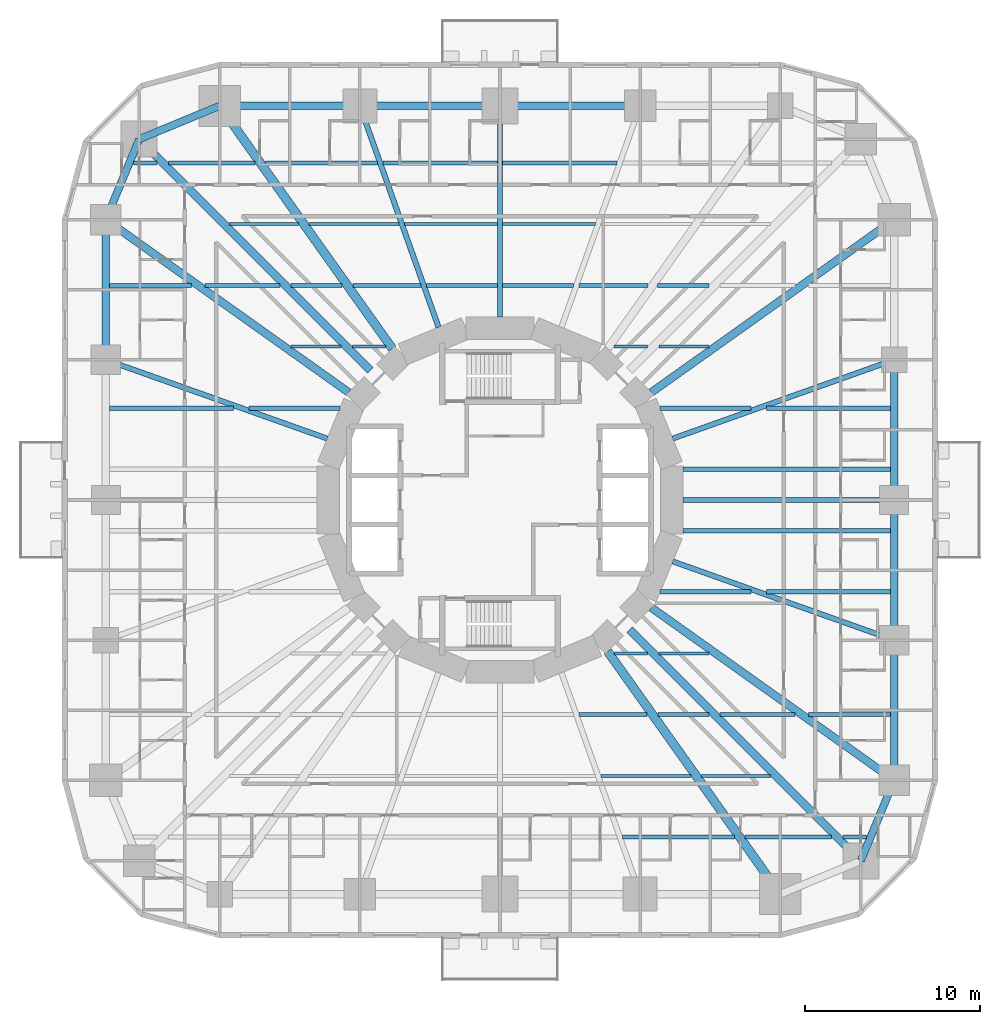
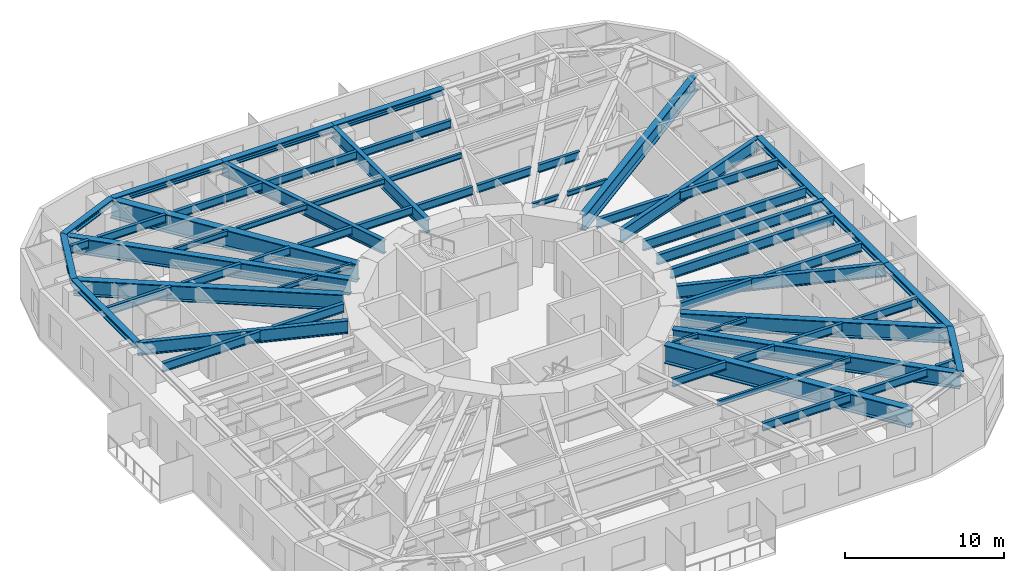
# One storey, part 2 of 14: 53 beams, 10 members.
"""IFC4 building model written with IfcOpenShell, lengths in metres."""

from ifc_helpers import new_model, si_unit, direction, frame, origin, origin_2d, place, context, subcontext, project, spatial, i_section, extrude, material, material_profile, profile_set, type_object, element, save


model = new_model("IFC4")

# Units and contexts
model_context = context("Model", 3, precision=1e-05, world=origin(), true_north=direction((0.0, 1.0)))
body_context = subcontext(model_context, "Body", "Model", "MODEL_VIEW")
ifc_project = project(units=[si_unit("LENGTHUNIT", "METRE"), si_unit("AREAUNIT", "SQUARE_METRE"), si_unit("VOLUMEUNIT", "CUBIC_METRE"), si_unit("PLANEANGLEUNIT", "RADIAN"), si_unit("MASSUNIT", "GRAM", prefix="KILO")], contexts=[model_context])

# Site, building, storey
site_placement = place(None, origin())
site = spatial("IfcSite", under=ifc_project, at=site_placement, CompositionType="ELEMENT")
building_placement = place(site_placement, origin())
building = spatial("IfcBuilding", under=site, at=building_placement, Name="Nakasero Lantern House", CompositionType="ELEMENT")
storey_placement = place(building_placement, frame((0.0, 0.0, 50.64990234375)))
storey = spatial("IfcBuildingStorey", under=building, at=storey_placement, Name="L12", CompositionType="ELEMENT", Elevation=50.64990234375)

# Members
ifc_material_1 = material(Name="Steel S355", Category="steel")
ifc_material_profile_1 = material_profile(ifc_material_1, i_section(OverallWidth=0.424072265625, OverallDepth=0.474609375, WebThickness=0.047607421875, FlangeThickness=0.076904296875, FilletRadius=0.01513671875, at=origin_2d()), Name="UC 356x406x634")
ifc_profile_set_1 = profile_set([ifc_material_profile_1], Name="Steel S355")
member_type = type_object("IfcMemberType", Name="Belt truss chord UC 356x406x634", PredefinedType="CHORD", material=ifc_profile_set_1)
for number, where, z_axis, x_axis, name in (
    (1, (22.5, -16.0, 3.412841796875), (0.0, 1.0, 0.0), (-1.0, 0.0, 0.0), "Belt truss bottom chord T1 B1-C01"),
    (2, (22.5, -8.0, 3.412841796875), (0.0, 1.0, 0.0), (-1.0, 0.0, 0.0), "Belt truss bottom chord T1 B1-C02"),
    (3, (22.5, 0.0, 3.412841796875), (0.0, 1.0, 0.0), (-1.0, 0.0, 0.0), "Belt truss bottom chord T1 B1-C03"),
    (4, (8.0, 22.5, 3.412841796875), (-1.0, 0.0, 0.0), (0.0, -1.0, 0.0), "Belt truss bottom chord T1 B1-C08"),
    (5, (0.0, 22.5, 3.412841796875), (-1.0, 0.0, 0.0), (0.0, -1.0, 0.0), "Belt truss bottom chord T1 B1-C09"),
    (6, (-8.0, 22.5, 3.412841796875), (-1.0, 0.0, 0.0), (0.0, -1.0, 0.0), "Belt truss bottom chord T1 B1-C10"),
):
    element("IfcMember", number, at=place(storey_placement, frame(where, z_axis=z_axis, x_axis=x_axis)), inside=storey, type_object=member_type, Name=name, PredefinedType="CHORD", context=body_context, shape_type="SweptSolid", body=[
        extrude(i_section(OverallWidth=0.424072265625, OverallDepth=0.474609375, WebThickness=0.047607421875, FlangeThickness=0.076904296875, FilletRadius=0.01513671875, at=origin_2d()), origin(), (0.0, 0.0, 1.0), 8.0),
    ])
for number, where, z_axis, x_axis, name in (
    (7, (-16.0, 22.5, 3.412841796875), (-0.923879264016, -0.382684080569, 0.0), (0.382684080569, -0.923879264016, 0.0), "Belt truss bottom chord T1 B1-C11"),
    (8, (-20.59619140625, 20.59619140625, 3.412841796875), (-0.382684080569, -0.923879264016, 0.0), (0.923879264016, -0.382684080569, 0.0), "Belt truss bottom chord T1 B1-C12"),
):
    element("IfcMember", number, at=place(storey_placement, frame(where, z_axis=z_axis, x_axis=x_axis)), inside=storey, type_object=member_type, Name=name, PredefinedType="CHORD", context=body_context, shape_type="SweptSolid", body=[
        extrude(i_section(OverallWidth=0.424072265625, OverallDepth=0.474609375, WebThickness=0.047607421875, FlangeThickness=0.076904296875, FilletRadius=0.01513671875, at=origin_2d()), origin(), (0.0, 0.0, 1.0), 4.974853515625),
    ])
member_1_placement = place(storey_placement, frame((-22.5, 16.0, 3.412841796875), z_axis=(0.0, -1.0, 0.0), x_axis=(1.0, 0.0, 0.0)))
element("IfcMember", 9, at=member_1_placement, inside=storey, type_object=member_type, Name="Belt truss bottom chord T1 B1-C13", PredefinedType="CHORD", context=body_context, shape_type="SweptSolid", body=[
    extrude(i_section(OverallWidth=0.424072265625, OverallDepth=0.474609375, WebThickness=0.047607421875, FlangeThickness=0.076904296875, FilletRadius=0.01513671875, at=origin_2d()), origin(), (0.0, 0.0, 1.0), 8.0),
])
member_2_placement = place(storey_placement, frame((20.59619140625, -20.59619140625, 3.412841796875), z_axis=(0.382684080569, 0.923879264016, 0.0), x_axis=(-0.923879264016, 0.382684080569, 0.0)))
element("IfcMember", 10, at=member_2_placement, inside=storey, type_object=member_type, Name="Belt truss bottom chord T1 B1-C24", PredefinedType="CHORD", context=body_context, shape_type="SweptSolid", body=[
    extrude(i_section(OverallWidth=0.424072265625, OverallDepth=0.474609375, WebThickness=0.047607421875, FlangeThickness=0.076904296875, FilletRadius=0.01513671875, at=origin_2d()), origin(), (0.0, 0.0, 1.0), 4.974853515625),
])

# Beams
ifc_material_2 = material(Name="Steel S355", Category="steel")
ifc_material_profile_2 = material_profile(ifc_material_2, i_section(OverallWidth=0.17138671875, OverallDepth=0.35498046875, WebThickness=0.00732421875, FlangeThickness=0.011474609375, FilletRadius=0.01025390625, at=origin_2d()), Name="UB 356x171x51")
ifc_profile_set_2 = profile_set([ifc_material_profile_2], Name="Steel S355")
beam_type_1 = type_object("IfcBeamType", Name="Infill beam UB 356x171x51", PredefinedType="JOIST", material=ifc_profile_set_2)
beam_1_placement = place(storey_placement, frame((6.529052734375, -8.75, 3.47265625), z_axis=(1.0, 0.0, 0.0), x_axis=(0.0, 1.0, 0.0)))
element("IfcBeam", 11, at=beam_1_placement, inside=storey, type_object=beam_type_1, Name="Infill beam L13 05.3", PredefinedType="JOIST", context=body_context, shape_type="SweptSolid", body=[
    extrude(i_section(OverallWidth=0.17138671875, OverallDepth=0.35498046875, WebThickness=0.00732421875, FlangeThickness=0.011474609375, FilletRadius=0.01025390625, at=origin_2d()), origin(), (0.0, 0.0, 1.0), 1.90283203125),
])
for number, where, z_axis, x_axis, name in (
    (12, (9.068115234375, -8.75, 3.47265625), (1.0, 0.0, 0.0), (0.0, 1.0, 0.0), "Infill beam L13 05.4"),
    (13, (-11.91650390625, 8.75, 3.47265625), (1.0, 0.0, 0.0), (0.0, 1.0, 0.0), "Infill beam L13 10.1"),
):
    element("IfcBeam", number, at=place(storey_placement, frame(where, z_axis=z_axis, x_axis=x_axis)), inside=storey, type_object=beam_type_1, Name=name, PredefinedType="JOIST", context=body_context, shape_type="SweptSolid", body=[
        extrude(i_section(OverallWidth=0.17138671875, OverallDepth=0.35498046875, WebThickness=0.00732421875, FlangeThickness=0.011474609375, FilletRadius=0.01025390625, at=origin_2d()), origin(), (0.0, 0.0, 1.0), 2.848388671875),
    ])
beam_2_placement = place(storey_placement, frame((-8.431884765625, 8.75, 3.47265625), z_axis=(1.0, 0.0, 0.0), x_axis=(0.0, 1.0, 0.0)))
element("IfcBeam", 14, at=beam_2_placement, inside=storey, type_object=beam_type_1, Name="Infill beam L13 10.2", PredefinedType="JOIST", context=body_context, shape_type="SweptSolid", body=[
    extrude(i_section(OverallWidth=0.17138671875, OverallDepth=0.35498046875, WebThickness=0.00732421875, FlangeThickness=0.011474609375, FilletRadius=0.01025390625, at=origin_2d()), origin(), (0.0, 0.0, 1.0), 1.90283203125),
])
beam_3_placement = place(storey_placement, frame((6.498291015625, 8.75, 3.47265625), z_axis=(1.0, 0.0, 0.0), x_axis=(0.0, 1.0, 0.0)))
element("IfcBeam", 15, at=beam_3_placement, inside=storey, type_object=beam_type_1, Name="Infill beam L13 10.3", PredefinedType="JOIST", context=body_context, shape_type="SweptSolid", body=[
    extrude(i_section(OverallWidth=0.17138671875, OverallDepth=0.35498046875, WebThickness=0.00732421875, FlangeThickness=0.011474609375, FilletRadius=0.01025390625, at=origin_2d()), origin(), (0.0, 0.0, 1.0), 1.93359375),
])
beam_4_placement = place(storey_placement, frame((9.068115234375, 8.75, 3.47265625), z_axis=(1.0, 0.0, 0.0), x_axis=(0.0, 1.0, 0.0)))
element("IfcBeam", 16, at=beam_4_placement, inside=storey, type_object=beam_type_1, Name="Infill beam L13 10.4", PredefinedType="JOIST", context=body_context, shape_type="SweptSolid", body=[
    extrude(i_section(OverallWidth=0.17138671875, OverallDepth=0.35498046875, WebThickness=0.00732421875, FlangeThickness=0.011474609375, FilletRadius=0.01025390625, at=origin_2d()), origin(), (0.0, 0.0, 1.0), 2.848388671875),
])
ifc_material_3 = material(Name="Steel S355", Category="steel")
ifc_material_profile_3 = material_profile(ifc_material_3, i_section(OverallWidth=0.177978515625, OverallDepth=0.406494140625, WebThickness=0.0078125, FlangeThickness=0.0126953125, FilletRadius=0.01025390625, at=origin_2d()), Name="UB 406x178x60")
ifc_profile_set_3 = profile_set([ifc_material_profile_3], Name="Steel S355")
beam_type_2 = type_object("IfcBeamType", Name="Infill beam UB 406x178x60", PredefinedType="JOIST", material=ifc_profile_set_3)
beam_5_placement = place(storey_placement, frame((5.761962890625, -15.75, 3.44677734375), z_axis=(1.0, 0.0, 0.0), x_axis=(0.0, 1.0, 0.0)))
element("IfcBeam", 17, at=beam_5_placement, inside=storey, type_object=beam_type_2, Name="Infill beam L13 03.5", PredefinedType="JOIST", context=body_context, shape_type="SweptSolid", body=[
    extrude(i_section(OverallWidth=0.177978515625, OverallDepth=0.406494140625, WebThickness=0.0078125, FlangeThickness=0.0126953125, FilletRadius=0.01025390625, at=origin_2d()), origin(), (0.0, 0.0, 1.0), 5.13134765625),
])
for number, where, z_axis, x_axis, name in (
    (18, (11.5068359375, -15.75, 3.44677734375), (1.0, 0.0, 0.0), (0.0, 1.0, 0.0), "Infill beam L13 03.6"),
    (19, (-15.431884765625, 15.75, 3.44677734375), (1.0, 0.0, 0.0), (0.0, 1.0, 0.0), "Infill beam L13 12.1"),
):
    element("IfcBeam", number, at=place(storey_placement, frame(where, z_axis=z_axis, x_axis=x_axis)), inside=storey, type_object=beam_type_2, Name=name, PredefinedType="JOIST", context=body_context, shape_type="SweptSolid", body=[
        extrude(i_section(OverallWidth=0.177978515625, OverallDepth=0.406494140625, WebThickness=0.0078125, FlangeThickness=0.0126953125, FilletRadius=0.01025390625, at=origin_2d()), origin(), (0.0, 0.0, 1.0), 3.925048828125),
    ])
beam_6_placement = place(storey_placement, frame((-10.893310546875, 15.75, 3.44677734375), z_axis=(1.0, 0.0, 0.0), x_axis=(0.0, 1.0, 0.0)))
element("IfcBeam", 20, at=beam_6_placement, inside=storey, type_object=beam_type_2, Name="Infill beam L13 12.2", PredefinedType="JOIST", context=body_context, shape_type="SweptSolid", body=[
    extrude(i_section(OverallWidth=0.177978515625, OverallDepth=0.406494140625, WebThickness=0.0078125, FlangeThickness=0.0126953125, FilletRadius=0.01025390625, at=origin_2d()), origin(), (0.0, 0.0, 1.0), 5.13134765625),
])
for number, where, z_axis, x_axis, name in (
    (21, (-5.43798828125, 15.75, 3.44677734375), (1.0, 0.0, 0.0), (0.0, 1.0, 0.0), "Infill beam L13 12.3"),
    (22, (0.152587890625, 15.75, 3.44677734375), (1.0, 0.0, 0.0), (0.0, 1.0, 0.0), "Infill beam L13 12.4"),
):
    element("IfcBeam", number, at=place(storey_placement, frame(where, z_axis=z_axis, x_axis=x_axis)), inside=storey, type_object=beam_type_2, Name=name, PredefinedType="JOIST", context=body_context, shape_type="SweptSolid", body=[
        extrude(i_section(OverallWidth=0.177978515625, OverallDepth=0.406494140625, WebThickness=0.0078125, FlangeThickness=0.0126953125, FilletRadius=0.01025390625, at=origin_2d()), origin(), (0.0, 0.0, 1.0), 5.285400390625),
    ])
ifc_material_4 = material(Name="Steel S355", Category="steel")
ifc_material_profile_4 = material_profile(ifc_material_4, i_section(OverallWidth=0.22900390625, OverallDepth=0.6123046875, WebThickness=0.011962890625, FlangeThickness=0.01953125, FilletRadius=0.0126953125, at=origin_2d()), Name="UB 610x229x125")
ifc_profile_set_4 = profile_set([ifc_material_profile_4], Name="Steel S355")
beam_type_3 = type_object("IfcBeamType", Name="Infill beam UB 610x229x125", PredefinedType="JOIST", material=ifc_profile_set_4)
beam_7_placement = place(storey_placement, frame((7.006591796875, -19.25, 3.343994140625), z_axis=(1.0, 0.0, 0.0), x_axis=(0.0, 1.0, 0.0)))
element("IfcBeam", 23, at=beam_7_placement, inside=storey, type_object=beam_type_3, Name="Infill beam L13 02.6", PredefinedType="JOIST", context=body_context, shape_type="SweptSolid", body=[
    extrude(i_section(OverallWidth=0.22900390625, OverallDepth=0.6123046875, WebThickness=0.011962890625, FlangeThickness=0.01953125, FilletRadius=0.0126953125, at=origin_2d()), origin(), (0.0, 0.0, 1.0), 6.37548828125),
])
beam_8_placement = place(storey_placement, frame((13.99560546875, -19.25, 3.343994140625), z_axis=(1.0, 0.0, 0.0), x_axis=(0.0, 1.0, 0.0)))
element("IfcBeam", 24, at=beam_8_placement, inside=storey, type_object=beam_type_3, Name="Infill beam L13 02.7", PredefinedType="JOIST", context=body_context, shape_type="SweptSolid", body=[
    extrude(i_section(OverallWidth=0.22900390625, OverallDepth=0.6123046875, WebThickness=0.011962890625, FlangeThickness=0.01953125, FilletRadius=0.0126953125, at=origin_2d()), origin(), (0.0, 0.0, 1.0), 4.936279296875),
])
beam_9_placement = place(storey_placement, frame((19.568115234375, -19.25, 3.343994140625), z_axis=(1.0, 0.0, 0.0), x_axis=(0.0, 1.0, 0.0)))
element("IfcBeam", 25, at=beam_9_placement, inside=storey, type_object=beam_type_3, Name="Infill beam L13 02.8", PredefinedType="JOIST", context=body_context, shape_type="SweptSolid", body=[
    extrude(i_section(OverallWidth=0.22900390625, OverallDepth=0.6123046875, WebThickness=0.011962890625, FlangeThickness=0.01953125, FilletRadius=0.0126953125, at=origin_2d()), origin(), (0.0, 0.0, 1.0), 1.356201171875),
])
beam_10_placement = place(storey_placement, frame((4.517578125, -12.25, 3.343994140625), z_axis=(1.0, 0.0, 0.0), x_axis=(0.0, 1.0, 0.0)))
element("IfcBeam", 26, at=beam_10_placement, inside=storey, type_object=beam_type_3, Name="Infill beam L13 04.7", PredefinedType="JOIST", context=body_context, shape_type="SweptSolid", body=[
    extrude(i_section(OverallWidth=0.22900390625, OverallDepth=0.6123046875, WebThickness=0.011962890625, FlangeThickness=0.01953125, FilletRadius=0.0126953125, at=origin_2d()), origin(), (0.0, 0.0, 1.0), 3.88671875),
])
beam_11_placement = place(storey_placement, frame((9.017822265625, -12.25, 3.343994140625), z_axis=(1.0, 0.0, 0.0), x_axis=(0.0, 1.0, 0.0)))
element("IfcBeam", 27, at=beam_11_placement, inside=storey, type_object=beam_type_3, Name="Infill beam L13 04.8", PredefinedType="JOIST", context=body_context, shape_type="SweptSolid", body=[
    extrude(i_section(OverallWidth=0.22900390625, OverallDepth=0.6123046875, WebThickness=0.011962890625, FlangeThickness=0.01953125, FilletRadius=0.0126953125, at=origin_2d()), origin(), (0.0, 0.0, 1.0), 2.9140625),
])
beam_12_placement = place(storey_placement, frame((12.568115234375, -12.25, 3.343994140625), z_axis=(1.0, 0.0, 0.0), x_axis=(0.0, 1.0, 0.0)))
element("IfcBeam", 28, at=beam_12_placement, inside=storey, type_object=beam_type_3, Name="Infill beam L13 04.9", PredefinedType="JOIST", context=body_context, shape_type="SweptSolid", body=[
    extrude(i_section(OverallWidth=0.22900390625, OverallDepth=0.6123046875, WebThickness=0.011962890625, FlangeThickness=0.01953125, FilletRadius=0.0126953125, at=origin_2d()), origin(), (0.0, 0.0, 1.0), 4.270263671875),
])
for number, where, z_axis, x_axis, name in (
    (29, (17.61474609375, -12.25, 3.343994140625), (1.0, 0.0, 0.0), (0.0, 1.0, 0.0), "Infill beam L13 04.10"),
    (30, (-22.2880859375, 12.25, 3.343994140625), (1.0, 0.0, 0.0), (0.0, 1.0, 0.0), "Infill beam L13 11.1"),
):
    element("IfcBeam", number, at=place(storey_placement, frame(where, z_axis=z_axis, x_axis=x_axis)), inside=storey, type_object=beam_type_3, Name=name, PredefinedType="JOIST", context=body_context, shape_type="SweptSolid", body=[
        extrude(i_section(OverallWidth=0.22900390625, OverallDepth=0.6123046875, WebThickness=0.011962890625, FlangeThickness=0.01953125, FilletRadius=0.0126953125, at=origin_2d()), origin(), (0.0, 0.0, 1.0), 4.67333984375),
    ])
beam_13_placement = place(storey_placement, frame((-16.83837890625, 12.25, 3.343994140625), z_axis=(1.0, 0.0, 0.0), x_axis=(0.0, 1.0, 0.0)))
element("IfcBeam", 31, at=beam_13_placement, inside=storey, type_object=beam_type_3, Name="Infill beam L13 11.2", PredefinedType="JOIST", context=body_context, shape_type="SweptSolid", body=[
    extrude(i_section(OverallWidth=0.22900390625, OverallDepth=0.6123046875, WebThickness=0.011962890625, FlangeThickness=0.01953125, FilletRadius=0.0126953125, at=origin_2d()), origin(), (0.0, 0.0, 1.0), 4.270263671875),
])
beam_14_placement = place(storey_placement, frame((-11.931884765625, 12.25, 3.343994140625), z_axis=(1.0, 0.0, 0.0), x_axis=(0.0, 1.0, 0.0)))
element("IfcBeam", 32, at=beam_14_placement, inside=storey, type_object=beam_type_3, Name="Infill beam L13 11.3", PredefinedType="JOIST", context=body_context, shape_type="SweptSolid", body=[
    extrude(i_section(OverallWidth=0.22900390625, OverallDepth=0.6123046875, WebThickness=0.011962890625, FlangeThickness=0.01953125, FilletRadius=0.0126953125, at=origin_2d()), origin(), (0.0, 0.0, 1.0), 2.9140625),
])
beam_15_placement = place(storey_placement, frame((-8.404296875, 12.25, 3.343994140625), z_axis=(1.0, 0.0, 0.0), x_axis=(0.0, 1.0, 0.0)))
element("IfcBeam", 33, at=beam_15_placement, inside=storey, type_object=beam_type_3, Name="Infill beam L13 11.4", PredefinedType="JOIST", context=body_context, shape_type="SweptSolid", body=[
    extrude(i_section(OverallWidth=0.22900390625, OverallDepth=0.6123046875, WebThickness=0.011962890625, FlangeThickness=0.01953125, FilletRadius=0.0126953125, at=origin_2d()), origin(), (0.0, 0.0, 1.0), 3.88671875),
])
for number, where, z_axis, x_axis, name in (
    (34, (-4.193603515625, 12.25, 3.343994140625), (1.0, 0.0, 0.0), (0.0, 1.0, 0.0), "Infill beam L13 11.5"),
    (35, (0.152587890625, 12.25, 3.343994140625), (1.0, 0.0, 0.0), (0.0, 1.0, 0.0), "Infill beam L13 11.6"),
):
    element("IfcBeam", number, at=place(storey_placement, frame(where, z_axis=z_axis, x_axis=x_axis)), inside=storey, type_object=beam_type_3, Name=name, PredefinedType="JOIST", context=body_context, shape_type="SweptSolid", body=[
        extrude(i_section(OverallWidth=0.22900390625, OverallDepth=0.6123046875, WebThickness=0.011962890625, FlangeThickness=0.01953125, FilletRadius=0.0126953125, at=origin_2d()), origin(), (0.0, 0.0, 1.0), 4.041015625),
    ])
beam_16_placement = place(storey_placement, frame((4.517578125, 12.25, 3.343994140625), z_axis=(1.0, 0.0, 0.0), x_axis=(0.0, 1.0, 0.0)))
element("IfcBeam", 36, at=beam_16_placement, inside=storey, type_object=beam_type_3, Name="Infill beam L13 11.7", PredefinedType="JOIST", context=body_context, shape_type="SweptSolid", body=[
    extrude(i_section(OverallWidth=0.22900390625, OverallDepth=0.6123046875, WebThickness=0.011962890625, FlangeThickness=0.01953125, FilletRadius=0.0126953125, at=origin_2d()), origin(), (0.0, 0.0, 1.0), 3.91748046875),
])
beam_17_placement = place(storey_placement, frame((8.9873046875, 12.25, 3.343994140625), z_axis=(1.0, 0.0, 0.0), x_axis=(0.0, 1.0, 0.0)))
element("IfcBeam", 37, at=beam_17_placement, inside=storey, type_object=beam_type_3, Name="Infill beam L13 11.8", PredefinedType="JOIST", context=body_context, shape_type="SweptSolid", body=[
    extrude(i_section(OverallWidth=0.22900390625, OverallDepth=0.6123046875, WebThickness=0.011962890625, FlangeThickness=0.01953125, FilletRadius=0.0126953125, at=origin_2d()), origin(), (0.0, 0.0, 1.0), 2.944580078125),
])
beam_18_placement = place(storey_placement, frame((-20.92431640625, 19.25, 3.343994140625), z_axis=(1.0, 0.0, 0.0), x_axis=(0.0, 1.0, 0.0)))
element("IfcBeam", 38, at=beam_18_placement, inside=storey, type_object=beam_type_3, Name="Infill beam L13 13.1", PredefinedType="JOIST", context=body_context, shape_type="SweptSolid", body=[
    extrude(i_section(OverallWidth=0.22900390625, OverallDepth=0.6123046875, WebThickness=0.011962890625, FlangeThickness=0.01953125, FilletRadius=0.0126953125, at=origin_2d()), origin(), (0.0, 0.0, 1.0), 1.356201171875),
])
beam_19_placement = place(storey_placement, frame((-18.931884765625, 19.25, 3.343994140625), z_axis=(1.0, 0.0, 0.0), x_axis=(0.0, 1.0, 0.0)))
element("IfcBeam", 39, at=beam_19_placement, inside=storey, type_object=beam_type_3, Name="Infill beam L13 13.2", PredefinedType="JOIST", context=body_context, shape_type="SweptSolid", body=[
    extrude(i_section(OverallWidth=0.22900390625, OverallDepth=0.6123046875, WebThickness=0.011962890625, FlangeThickness=0.01953125, FilletRadius=0.0126953125, at=origin_2d()), origin(), (0.0, 0.0, 1.0), 4.936279296875),
])
beam_20_placement = place(storey_placement, frame((-13.382080078125, 19.25, 3.343994140625), z_axis=(1.0, 0.0, 0.0), x_axis=(0.0, 1.0, 0.0)))
element("IfcBeam", 40, at=beam_20_placement, inside=storey, type_object=beam_type_3, Name="Infill beam L13 13.3", PredefinedType="JOIST", context=body_context, shape_type="SweptSolid", body=[
    extrude(i_section(OverallWidth=0.22900390625, OverallDepth=0.6123046875, WebThickness=0.011962890625, FlangeThickness=0.01953125, FilletRadius=0.0126953125, at=origin_2d()), origin(), (0.0, 0.0, 1.0), 6.37548828125),
])
for number, where, z_axis, x_axis, name in (
    (41, (-6.682373046875, 19.25, 3.343994140625), (1.0, 0.0, 0.0), (0.0, 1.0, 0.0), "Infill beam L13 13.4"),
    (42, (0.152587890625, 19.25, 3.343994140625), (1.0, 0.0, 0.0), (0.0, 1.0, 0.0), "Infill beam L13 13.5"),
):
    element("IfcBeam", number, at=place(storey_placement, frame(where, z_axis=z_axis, x_axis=x_axis)), inside=storey, type_object=beam_type_3, Name=name, PredefinedType="JOIST", context=body_context, shape_type="SweptSolid", body=[
        extrude(i_section(OverallWidth=0.22900390625, OverallDepth=0.6123046875, WebThickness=0.011962890625, FlangeThickness=0.01953125, FilletRadius=0.0126953125, at=origin_2d()), origin(), (0.0, 0.0, 1.0), 6.52978515625),
    ])
ifc_material_5 = material(Name="Steel S355", Category="steel")
ifc_material_profile_5 = material_profile(ifc_material_5, i_section(OverallWidth=0.253662109375, OverallDepth=0.68359375, WebThickness=0.012451171875, FlangeThickness=0.01904296875, FilletRadius=0.01513671875, at=origin_2d()), Name="UB 686x254x140")
ifc_profile_set_5 = profile_set([ifc_material_profile_5], Name="Steel S355")
beam_type_4 = type_object("IfcBeamType", Name="Infill beam UB 686x254x140", PredefinedType="JOIST", material=ifc_profile_set_5)
beam_21_placement = place(storey_placement, frame((9.144775390625, -5.25, 3.308349609375), z_axis=(1.0, 0.0, 0.0), x_axis=(0.0, 1.0, 0.0)))
element("IfcBeam", 43, at=beam_21_placement, inside=storey, type_object=beam_type_4, Name="Infill beam L13 06.3", PredefinedType="JOIST", context=body_context, shape_type="SweptSolid", body=[
    extrude(i_section(OverallWidth=0.253662109375, OverallDepth=0.68359375, WebThickness=0.012451171875, FlangeThickness=0.01904296875, FilletRadius=0.01513671875, at=origin_2d()), origin(), (0.0, 0.0, 1.0), 5.173095703125),
])
for number, where, z_axis, x_axis, name in (
    (44, (15.21337890625, -5.25, 3.308349609375), (1.0, 0.0, 0.0), (0.0, 1.0, 0.0), "Infill beam L13 06.4"),
    (45, (-22.2880859375, 5.25, 3.308349609375), (1.0, 0.0, 0.0), (0.0, 1.0, 0.0), "Infill beam L13 09.1"),
):
    element("IfcBeam", number, at=place(storey_placement, frame(where, z_axis=z_axis, x_axis=x_axis)), inside=storey, type_object=beam_type_4, Name=name, PredefinedType="JOIST", context=body_context, shape_type="SweptSolid", body=[
        extrude(i_section(OverallWidth=0.253662109375, OverallDepth=0.68359375, WebThickness=0.012451171875, FlangeThickness=0.01904296875, FilletRadius=0.01513671875, at=origin_2d()), origin(), (0.0, 0.0, 1.0), 7.07470703125),
    ])
for number, where, z_axis, x_axis, name in (
    (46, (-14.31787109375, 5.25, 3.308349609375), (1.0, 0.0, 0.0), (0.0, 1.0, 0.0), "Infill beam L13 09.2"),
    (47, (9.144775390625, 5.25, 3.308349609375), (1.0, 0.0, 0.0), (0.0, 1.0, 0.0), "Infill beam L13 09.3"),
):
    element("IfcBeam", number, at=place(storey_placement, frame(where, z_axis=z_axis, x_axis=x_axis)), inside=storey, type_object=beam_type_4, Name=name, PredefinedType="JOIST", context=body_context, shape_type="SweptSolid", body=[
        extrude(i_section(OverallWidth=0.253662109375, OverallDepth=0.68359375, WebThickness=0.012451171875, FlangeThickness=0.01904296875, FilletRadius=0.01513671875, at=origin_2d()), origin(), (0.0, 0.0, 1.0), 5.173095703125),
    ])
beam_22_placement = place(storey_placement, frame((15.21337890625, 5.25, 3.308349609375), z_axis=(1.0, 0.0, 0.0), x_axis=(0.0, 1.0, 0.0)))
element("IfcBeam", 48, at=beam_22_placement, inside=storey, type_object=beam_type_4, Name="Infill beam L13 09.4", PredefinedType="JOIST", context=body_context, shape_type="SweptSolid", body=[
    extrude(i_section(OverallWidth=0.253662109375, OverallDepth=0.68359375, WebThickness=0.012451171875, FlangeThickness=0.01904296875, FilletRadius=0.01513671875, at=origin_2d()), origin(), (0.0, 0.0, 1.0), 7.07470703125),
])
ifc_material_6 = material(Name="Steel S355", Category="steel")
ifc_material_profile_6 = material_profile(ifc_material_6, i_section(OverallWidth=0.2666015625, OverallDepth=0.76220703125, WebThickness=0.014404296875, FlangeThickness=0.021484375, FilletRadius=0.0166015625, at=origin_2d()), Name="UB 762x267x173")
ifc_profile_set_6 = profile_set([ifc_material_profile_6], Name="Steel S355")
beam_type_5 = type_object("IfcBeamType", Name="Infill beam UB 762x267x173", PredefinedType="JOIST", material=ifc_profile_set_6)
for number, where, z_axis, x_axis, name in (
    (49, (10.457763671875, -1.75, 3.26904296875), (1.0, 0.0, 0.0), (0.0, 1.0, 0.0), "Infill beam L13 07.2"),
    (50, (10.457763671875, 1.75, 3.26904296875), (1.0, 0.0, 0.0), (0.0, 1.0, 0.0), "Infill beam L13 08.2"),
):
    element("IfcBeam", number, at=place(storey_placement, frame(where, z_axis=z_axis, x_axis=x_axis)), inside=storey, type_object=beam_type_5, Name=name, PredefinedType="JOIST", context=body_context, shape_type="SweptSolid", body=[
        extrude(i_section(OverallWidth=0.2666015625, OverallDepth=0.76220703125, WebThickness=0.014404296875, FlangeThickness=0.021484375, FilletRadius=0.0166015625, at=origin_2d()), origin(), (0.0, 0.0, 1.0), 11.830322265625),
    ])
ifc_material_7 = material(Name="Steel S355", Category="steel")
ifc_material_profile_7 = material_profile(ifc_material_7, i_section(OverallWidth=0.449951171875, OverallDepth=1.199951171875, WebThickness=0.02490234375, FlangeThickness=0.06005859375, at=origin_2d()), Name="PG 1200x450x636")
ifc_profile_set_7 = profile_set([ifc_material_profile_7], Name="Steel S355")
beam_type_6 = type_object("IfcBeamType", Name="Primary beam PG 1200x450x636, span over 15 m", PredefinedType="BEAM", material=ifc_profile_set_7)
for number, where, z_axis, x_axis, name in (
    (51, (22.5, -16.0, 3.050048828125), (-0.814952159915, 0.579528236629, 0.0), (-0.579528236629, -0.814952159915, 0.0), "Primary beam L13 B1-C01"),
    (52, (22.5, 16.0, 3.0), (-0.814952159915, -0.579528236629, 0.0), (0.579528236629, -0.814952159915, 0.0), "Primary beam L13 B1-C05"),
):
    element("IfcBeam", number, at=place(storey_placement, frame(where, z_axis=z_axis, x_axis=x_axis)), inside=storey, type_object=beam_type_6, Name=name, PredefinedType="BEAM", context=body_context, shape_type="SweptSolid", body=[
        extrude(i_section(OverallWidth=0.449951171875, OverallDepth=1.199951171875, WebThickness=0.02490234375, FlangeThickness=0.06005859375, at=origin_2d()), origin(), (0.0, 0.0, 1.0), 17.003173828125),
    ])
beam_23_placement = place(storey_placement, frame((-20.59619140625, 20.59619140625, 3.0), z_axis=(0.707106781187, -0.707106781187, 0.0), x_axis=(0.707106781187, 0.707106781187, 0.0)))
element("IfcBeam", 53, at=beam_23_placement, inside=storey, type_object=beam_type_6, Name="Primary beam L13 B1-C12", PredefinedType="BEAM", context=body_context, shape_type="SweptSolid", body=[
    extrude(i_section(OverallWidth=0.449951171875, OverallDepth=1.199951171875, WebThickness=0.02490234375, FlangeThickness=0.06005859375, at=origin_2d()), origin(), (0.0, 0.0, 1.0), 18.669677734375),
])
beam_24_placement = place(storey_placement, frame((-22.5, 16.0, 3.050048828125), z_axis=(0.814952159915, -0.579528236629, 0.0), x_axis=(0.579528236629, 0.814952159915, 0.0)))
element("IfcBeam", 54, at=beam_24_placement, inside=storey, type_object=beam_type_6, Name="Primary beam L13 B1-C13", PredefinedType="BEAM", context=body_context, shape_type="SweptSolid", body=[
    extrude(i_section(OverallWidth=0.449951171875, OverallDepth=1.199951171875, WebThickness=0.02490234375, FlangeThickness=0.06005859375, at=origin_2d()), origin(), (0.0, 0.0, 1.0), 17.003173828125),
])
beam_25_placement = place(storey_placement, frame((20.59619140625, -20.59619140625, 3.0), z_axis=(-0.707106781187, 0.707106781187, 0.0), x_axis=(-0.707106781187, -0.707106781187, 0.0)))
element("IfcBeam", 55, at=beam_25_placement, inside=storey, type_object=beam_type_6, Name="Primary beam L13 B1-C24", PredefinedType="BEAM", context=body_context, shape_type="SweptSolid", body=[
    extrude(i_section(OverallWidth=0.449951171875, OverallDepth=1.199951171875, WebThickness=0.02490234375, FlangeThickness=0.06005859375, at=origin_2d()), origin(), (0.0, 0.0, 1.0), 18.669677734375),
])
ifc_material_8 = material(Name="Steel S355", Category="steel")
ifc_material_profile_8 = material_profile(ifc_material_8, i_section(OverallWidth=0.5, OverallDepth=1.39990234375, WebThickness=0.028076171875, FlangeThickness=0.06494140625, at=origin_2d()), Name="PG 1400x500x786")
ifc_profile_set_8 = profile_set([ifc_material_profile_8], Name="Steel S355")
beam_type_7 = type_object("IfcBeamType", Name="Primary beam PG 1400x500x786, span over 15 m", PredefinedType="BEAM", material=ifc_profile_set_8)
for number, where, z_axis, x_axis, name in (
    (56, (-16.0, 22.5, 2.900146484375), (0.579528236629, -0.814952159915, 0.0), (0.814952159915, 0.579528236629, 0.0), "Primary beam L13 B1-C11"),
    (57, (16.0, -22.5, 2.900146484375), (-0.579528236629, 0.814952159915, 0.0), (-0.814952159915, -0.579528236629, 0.0), "Primary beam L13 B1-C23"),
):
    element("IfcBeam", number, at=place(storey_placement, frame(where, z_axis=z_axis, x_axis=x_axis)), inside=storey, type_object=beam_type_7, Name=name, PredefinedType="BEAM", context=body_context, shape_type="SweptSolid", body=[
        extrude(i_section(OverallWidth=0.5, OverallDepth=1.39990234375, WebThickness=0.028076171875, FlangeThickness=0.06494140625, at=origin_2d()), origin(), (0.0, 0.0, 1.0), 17.003173828125),
    ])
ifc_material_9 = material(Name="Steel S355", Category="steel")
ifc_material_profile_9 = material_profile(ifc_material_9, i_section(OverallWidth=0.300048828125, OverallDepth=0.989990234375, WebThickness=0.0166015625, FlangeThickness=0.031005859375, FilletRadius=0.030029296875, at=origin_2d()), Name="UB 1016x305x272")
ifc_profile_set_9 = profile_set([ifc_material_profile_9], Name="Steel S355")
beam_type_8 = type_object("IfcBeamType", Name="Primary beam UB 1016x305x272, span 12 to 15 m", PredefinedType="BEAM", material=ifc_profile_set_9)
for number, where, z_axis, x_axis, name in (
    (58, (22.5, -8.0, 3.155029296875), (-0.942214307118, 0.335010745293, 0.0), (-0.335010745293, -0.942214307118, 0.0), "Primary beam L13 B1-C02"),
    (59, (-22.5, 8.0, 3.155029296875), (0.942214307118, -0.335010745293, 0.0), (0.335010745293, 0.942214307118, 0.0), "Primary beam L13 B1-C14"),
):
    element("IfcBeam", number, at=place(storey_placement, frame(where, z_axis=z_axis, x_axis=x_axis)), inside=storey, type_object=beam_type_8, Name=name, PredefinedType="BEAM", context=body_context, shape_type="SweptSolid", body=[
        extrude(i_section(OverallWidth=0.300048828125, OverallDepth=0.989990234375, WebThickness=0.0166015625, FlangeThickness=0.031005859375, FilletRadius=0.030029296875, at=origin_2d()), origin(), (0.0, 0.0, 1.0), 13.408447265625),
    ])
ifc_material_10 = material(Name="Steel S355", Category="steel")
ifc_material_profile_10 = material_profile(ifc_material_10, i_section(OverallWidth=0.300048828125, OverallDepth=1.0, WebThickness=0.01904296875, FlangeThickness=0.035888671875, FilletRadius=0.030029296875, at=origin_2d()), Name="UB 1016x305x314")
ifc_profile_set_10 = profile_set([ifc_material_profile_10], Name="Steel S355")
beam_type_9 = type_object("IfcBeamType", Name="Primary beam UB 1016x305x314, span 12 to 15 m", PredefinedType="BEAM", material=ifc_profile_set_10)
beam_26_placement = place(storey_placement, frame((22.5, 8.0, 3.150146484375), z_axis=(-0.942214307118, -0.335010745293, 0.0), x_axis=(0.335010745293, -0.942214307118, 0.0)))
element("IfcBeam", 60, at=beam_26_placement, inside=storey, type_object=beam_type_9, Name="Primary beam L13 B1-C04", PredefinedType="BEAM", context=body_context, shape_type="SweptSolid", body=[
    extrude(i_section(OverallWidth=0.300048828125, OverallDepth=1.0, WebThickness=0.01904296875, FlangeThickness=0.035888671875, FilletRadius=0.030029296875, at=origin_2d()), origin(), (0.0, 0.0, 1.0), 13.408447265625),
])
ifc_material_11 = material(Name="Steel S355", Category="steel")
ifc_material_profile_11 = material_profile(ifc_material_11, i_section(OverallWidth=0.305419921875, OverallDepth=1.026123046875, WebThickness=0.02685546875, FlangeThickness=0.049072265625, FilletRadius=0.030029296875, at=origin_2d()), Name="UB 1016x305x437")
ifc_profile_set_11 = profile_set([ifc_material_profile_11], Name="Steel S355")
beam_type_10 = type_object("IfcBeamType", Name="Primary beam UB 1016x305x437, span 12 to 15 m", PredefinedType="BEAM", material=ifc_profile_set_11)
beam_27_placement = place(storey_placement, frame((0.0, 22.5, 3.136962890625), z_axis=(0.0, -1.0, 0.0), x_axis=(1.0, 0.0, 0.0)))
element("IfcBeam", 61, at=beam_27_placement, inside=storey, type_object=beam_type_10, Name="Primary beam L13 B1-C09", PredefinedType="BEAM", context=body_context, shape_type="SweptSolid", body=[
    extrude(i_section(OverallWidth=0.305419921875, OverallDepth=1.026123046875, WebThickness=0.02685546875, FlangeThickness=0.049072265625, FilletRadius=0.030029296875, at=origin_2d()), origin(), (0.0, 0.0, 1.0), 12.042236328125),
])
beam_28_placement = place(storey_placement, frame((-8.0, 22.5, 3.136962890625), z_axis=(0.335010745293, -0.942214307118, 0.0), x_axis=(0.942214307118, 0.335010745293, 0.0)))
element("IfcBeam", 62, at=beam_28_placement, inside=storey, type_object=beam_type_10, Name="Primary beam L13 B1-C10", PredefinedType="BEAM", context=body_context, shape_type="SweptSolid", body=[
    extrude(i_section(OverallWidth=0.305419921875, OverallDepth=1.026123046875, WebThickness=0.02685546875, FlangeThickness=0.049072265625, FilletRadius=0.030029296875, at=origin_2d()), origin(), (0.0, 0.0, 1.0), 13.408447265625),
])
ifc_material_12 = material(Name="Steel S355", Category="steel")
ifc_material_profile_12 = material_profile(ifc_material_12, i_section(OverallWidth=0.2666015625, OverallDepth=0.76220703125, WebThickness=0.014404296875, FlangeThickness=0.021484375, FilletRadius=0.0166015625, at=origin_2d()), Name="UB 762x267x173")
ifc_profile_set_12 = profile_set([ifc_material_profile_12], Name="Steel S355")
beam_type_11 = type_object("IfcBeamType", Name="Primary beam UB 762x267x173, span 12 to 15 m", PredefinedType="BEAM", material=ifc_profile_set_12)
beam_29_placement = place(storey_placement, frame((22.5, 0.0, 3.26904296875), z_axis=(-1.0, 0.0, 0.0), x_axis=(0.0, -1.0, 0.0)))
element("IfcBeam", 63, at=beam_29_placement, inside=storey, type_object=beam_type_11, Name="Primary beam L13 B1-C03", PredefinedType="BEAM", context=body_context, shape_type="SweptSolid", body=[
    extrude(i_section(OverallWidth=0.2666015625, OverallDepth=0.76220703125, WebThickness=0.014404296875, FlangeThickness=0.021484375, FilletRadius=0.0166015625, at=origin_2d()), origin(), (0.0, 0.0, 1.0), 12.042236328125),
])

save(model, "model.ifc")
